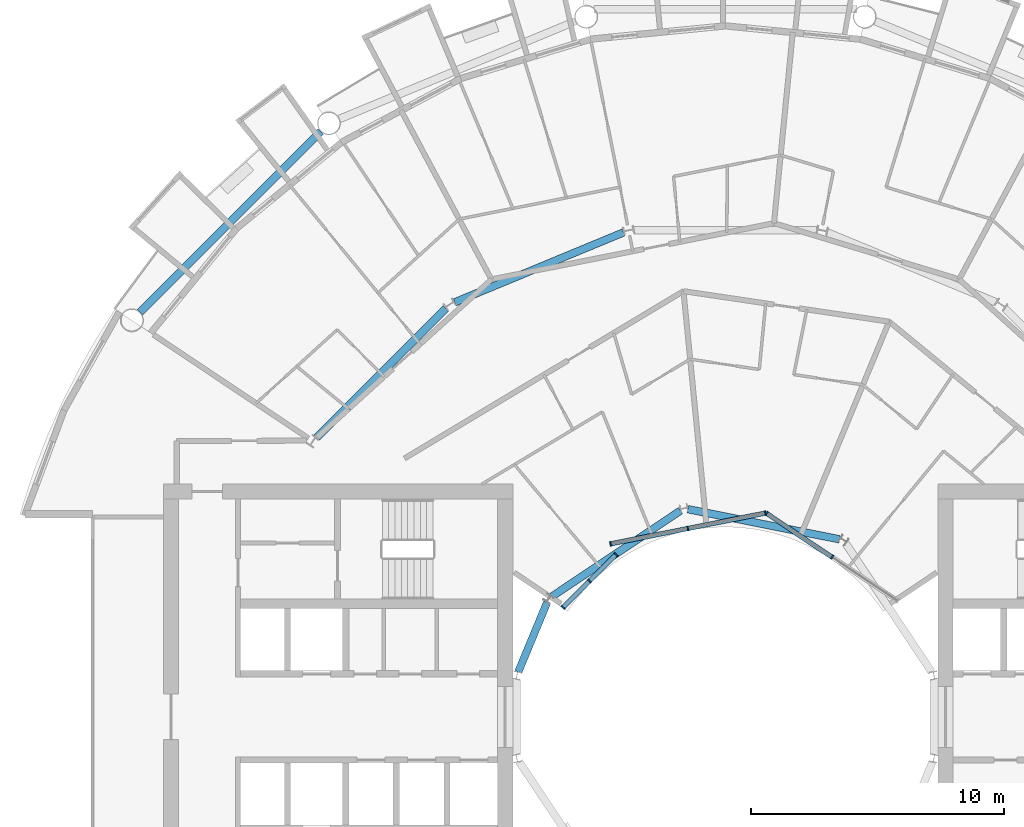
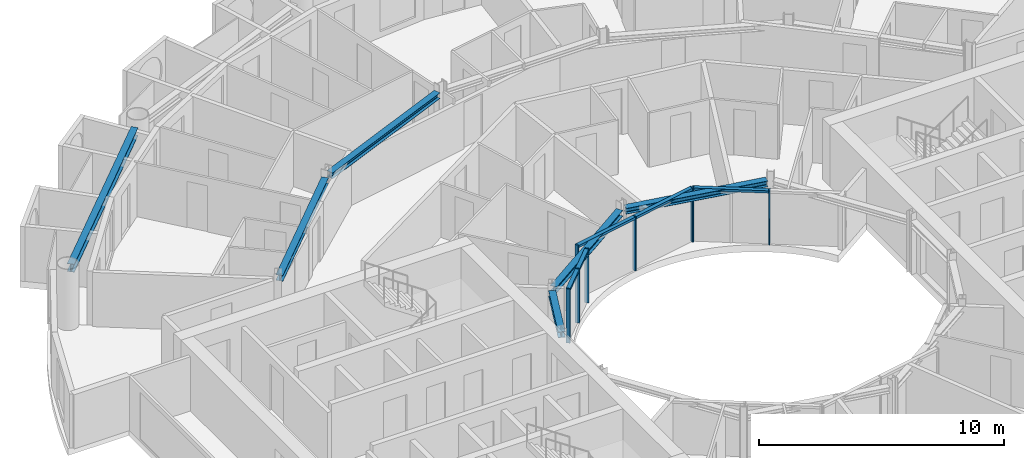
# One storey, part 8 of 28: 13 members, 6 beams, 3 elements without a shape of their own.
"""IFC4 building model written with IfcOpenShell, lengths in metres."""

from ifc_helpers import new_model, si_unit, direction, frame, origin, origin_2d, place, context, subcontext, project, spatial, rectangle, i_section, extrude, material, layer, layer_set, material_profile, profile_set, type_object, element, aggregate, save


model = new_model("IFC4")

# Units and contexts
model_context = context("Model", 3, precision=1e-05, world=origin(), true_north=direction((0.0, 1.0)))
body_context = subcontext(model_context, "Body", "Model", "MODEL_VIEW")
ifc_project = project(units=[si_unit("LENGTHUNIT", "METRE"), si_unit("AREAUNIT", "SQUARE_METRE"), si_unit("VOLUMEUNIT", "CUBIC_METRE"), si_unit("PLANEANGLEUNIT", "RADIAN"), si_unit("MASSUNIT", "GRAM", prefix="KILO")], contexts=[model_context])

# Site, building, storey
site_placement = place(None, origin())
site = spatial("IfcSite", under=ifc_project, at=site_placement, CompositionType="ELEMENT")
building_placement = place(site_placement, origin())
building = spatial("IfcBuilding", under=site, at=building_placement, Name="Maasbend Ring Residences", CompositionType="ELEMENT")
storey_placement = place(building_placement, frame((0.0, 0.0, 133.0)))
storey = spatial("IfcBuildingStorey", under=building, at=storey_placement, Name="L38", CompositionType="ELEMENT", Elevation=133.0)

# Curtain wall, members
ifc_material_1 = material(Name="Aluminium and clear glass", Category="aluminium")
ifc_layer = layer(ifc_material_1, 0.179931640625)
ifc_layer_set = layer_set([ifc_layer], Name="CW-W")
curtain_wall_type = type_object("IfcCurtainWallType", Name="CW-W", PredefinedType="NOTDEFINED", material=ifc_layer_set)
curtain_wall_1_placement = place(storey_placement, origin())
curtain_wall_1 = element("IfcCurtainWall", 1, at=curtain_wall_1_placement, inside=storey, type_object=curtain_wall_type, Name="Well curtain wall N1", PredefinedType="NOTDEFINED")
ifc_material_2 = material(Name="Aluminium 6063-T6", Category="aluminium")
ifc_material_profile_1 = material_profile(ifc_material_2, rectangle(XDim=0.179931640625, YDim=0.06005859375, at=origin_2d()), Name="AL 180x60")
ifc_profile_set_1 = profile_set([ifc_material_profile_1], Name="Aluminium 6063-T6")
member_type_1 = type_object("IfcMemberType", Name="CWM-W", PredefinedType="MULLION", material=ifc_profile_set_1)
member_1_placement = place(storey_placement, frame((4.216796875, 6.310791015625, 0.0), z_axis=(0.0, 0.0, 1.0), x_axis=(-0.55557023302, -0.831469612303, 0.0)))
member_1 = element("IfcMember", 2, at=member_1_placement, type_object=member_type_1, Name="Mullion well face", PredefinedType="MULLION", context=body_context, shape_type="SweptSolid", body=[
    extrude(rectangle(XDim=0.179931640625, YDim=0.06005859375, at=origin_2d()), origin(), (0.0, 0.0, 1.0), 2.699951171875),
])
member_2_placement = place(storey_placement, frame((1.627685546875, 8.040771484375, 0.0), z_axis=(0.0, 0.0, 1.0), x_axis=(-0.55557023302, -0.831469612303, 0.0)))
member_2 = element("IfcMember", 3, at=member_2_placement, type_object=member_type_1, Name="Mullion well face", PredefinedType="MULLION", context=body_context, shape_type="SweptSolid", body=[
    extrude(rectangle(XDim=0.179931640625, YDim=0.06005859375, at=origin_2d()), origin(), (0.0, 0.0, 1.0), 2.699951171875),
])

curtain_wall_2_placement = place(storey_placement, origin())
curtain_wall_2 = element("IfcCurtainWall", 4, at=curtain_wall_2_placement, inside=storey, type_object=curtain_wall_type, Name="Well curtain wall N2", PredefinedType="NOTDEFINED")
member_3_placement = place(storey_placement, frame((1.5732421875, 8.0517578125, 0.0), z_axis=(0.0, 0.0, 1.0), x_axis=(0.195090322016, -0.980785280403, 0.0)))
member_3 = element("IfcMember", 5, at=member_3_placement, type_object=member_type_1, Name="Mullion well face", PredefinedType="MULLION", context=body_context, shape_type="SweptSolid", body=[
    extrude(rectangle(XDim=0.179931640625, YDim=0.06005859375, at=origin_2d()), origin(), (0.0, 0.0, 1.0), 2.699951171875),
])
member_4_placement = place(storey_placement, frame((-1.480712890625, 7.444091796875, 0.0), z_axis=(0.0, 0.0, 1.0), x_axis=(0.195090322016, -0.980785280403, 0.0)))
member_4 = element("IfcMember", 6, at=member_4_placement, type_object=member_type_1, Name="Mullion well face", PredefinedType="MULLION", context=body_context, shape_type="SweptSolid", body=[
    extrude(rectangle(XDim=0.179931640625, YDim=0.06005859375, at=origin_2d()), origin(), (0.0, 0.0, 1.0), 2.699951171875),
])
member_5_placement = place(storey_placement, frame((-4.53466796875, 6.836669921875, 0.0), z_axis=(0.0, 0.0, 1.0), x_axis=(0.195090322016, -0.980785280403, 0.0)))
member_5 = element("IfcMember", 7, at=member_5_placement, type_object=member_type_1, Name="Mullion well face", PredefinedType="MULLION", context=body_context, shape_type="SweptSolid", body=[
    extrude(rectangle(XDim=0.179931640625, YDim=0.06005859375, at=origin_2d()), origin(), (0.0, 0.0, 1.0), 2.699951171875),
])

curtain_wall_3_placement = place(storey_placement, origin())
curtain_wall_3 = element("IfcCurtainWall", 8, at=curtain_wall_3_placement, inside=storey, type_object=curtain_wall_type, Name="Well curtain wall N3", PredefinedType="NOTDEFINED")
member_6_placement = place(storey_placement, frame((-4.320556640625, 6.413330078125, 0.0), z_axis=(0.0, 0.0, 1.0), x_axis=(0.707106781187, -0.707106781187, 0.0)))
member_6 = element("IfcMember", 9, at=member_6_placement, type_object=member_type_1, Name="Mullion well face", PredefinedType="MULLION", context=body_context, shape_type="SweptSolid", body=[
    extrude(rectangle(XDim=0.179931640625, YDim=0.06005859375, at=origin_2d()), origin(), (0.0, 0.0, 1.0), 2.699951171875),
])
member_7_placement = place(storey_placement, frame((-5.366943359375, 5.366943359375, 0.0), z_axis=(0.0, 0.0, 1.0), x_axis=(0.707106781187, -0.707106781187, 0.0)))
member_7 = element("IfcMember", 10, at=member_7_placement, type_object=member_type_1, Name="Mullion well face", PredefinedType="MULLION", context=body_context, shape_type="SweptSolid", body=[
    extrude(rectangle(XDim=0.179931640625, YDim=0.06005859375, at=origin_2d()), origin(), (0.0, 0.0, 1.0), 2.699951171875),
])
member_8_placement = place(storey_placement, frame((-6.413330078125, 4.320556640625, 0.0), z_axis=(0.0, 0.0, 1.0), x_axis=(0.707106781187, -0.707106781187, 0.0)))
member_8 = element("IfcMember", 11, at=member_8_placement, type_object=member_type_1, Name="Mullion well face", PredefinedType="MULLION", context=body_context, shape_type="SweptSolid", body=[
    extrude(rectangle(XDim=0.179931640625, YDim=0.06005859375, at=origin_2d()), origin(), (0.0, 0.0, 1.0), 2.699951171875),
])

# Member
ifc_material_3 = material(Name="Aluminium 6063-T6", Category="aluminium")
ifc_material_profile_2 = material_profile(ifc_material_3, rectangle(XDim=0.179931640625, YDim=0.1201171875, at=origin_2d()), Name="AL 180x120")
ifc_profile_set_2 = profile_set([ifc_material_profile_2], Name="Aluminium 6063-T6")
member_type_2 = type_object("IfcMemberType", Name="CWT-W", PredefinedType="USERDEFINED", material=ifc_profile_set_2)
member_9_placement = place(storey_placement, frame((4.19189453125, 6.32763671875, 2.639892578125), z_axis=(-0.831496422459, 0.555530106689, 0.0), x_axis=(-0.555530106689, -0.831496422459, 0.0)))
member_9 = element("IfcMember", 12, at=member_9_placement, type_object=member_type_2, Name="Transom well face", ObjectType="TRANSOM", PredefinedType="USERDEFINED", context=body_context, shape_type="SweptSolid", body=[
    extrude(rectangle(XDim=0.179931640625, YDim=0.1201171875, at=origin_2d()), origin(), (0.0, 0.0, 1.0), 3.053955078125),
])

aggregate(curtain_wall_1, [member_1, member_2, member_9])

member_10_placement = place(storey_placement, frame((1.5439453125, 8.0458984375, 2.639892578125), z_axis=(-0.980776956105, -0.195132166424, 0.0), x_axis=(0.195132166424, -0.980776956105, 0.0)))
member_10 = element("IfcMember", 13, at=member_10_placement, type_object=member_type_2, Name="Transom well face", ObjectType="TRANSOM", PredefinedType="USERDEFINED", context=body_context, shape_type="SweptSolid", body=[
    extrude(rectangle(XDim=0.179931640625, YDim=0.1201171875, at=origin_2d()), origin(), (0.0, 0.0, 1.0), 3.053955078125),
])

member_11_placement = place(storey_placement, frame((-1.51025390625, 7.438232421875, 2.639892578125), z_axis=(-0.980789210404, -0.19507056353, 0.0), x_axis=(0.19507056353, -0.980789210404, 0.0)))
member_11 = element("IfcMember", 14, at=member_11_placement, type_object=member_type_2, Name="Transom well face", ObjectType="TRANSOM", PredefinedType="USERDEFINED", context=body_context, shape_type="SweptSolid", body=[
    extrude(rectangle(XDim=0.179931640625, YDim=0.1201171875, at=origin_2d()), origin(), (0.0, 0.0, 1.0), 3.0537109375),
])

aggregate(curtain_wall_2, [member_3, member_4, member_5, member_10, member_11])

member_12_placement = place(storey_placement, frame((-4.341796875, 6.39208984375, 2.639892578125), z_axis=(-0.707106781187, -0.707106781187, 0.0), x_axis=(0.707106781187, -0.707106781187, 0.0)))
member_12 = element("IfcMember", 15, at=member_12_placement, type_object=member_type_2, Name="Transom well face", ObjectType="TRANSOM", PredefinedType="USERDEFINED", context=body_context, shape_type="SweptSolid", body=[
    extrude(rectangle(XDim=0.179931640625, YDim=0.1201171875, at=origin_2d()), origin(), (0.0, 0.0, 1.0), 1.419677734375),
])

member_13_placement = place(storey_placement, frame((-5.38818359375, 5.345703125, 2.639892578125), z_axis=(-0.707106781187, -0.707106781187, 0.0), x_axis=(0.707106781187, -0.707106781187, 0.0)))
member_13 = element("IfcMember", 16, at=member_13_placement, type_object=member_type_2, Name="Transom well face", ObjectType="TRANSOM", PredefinedType="USERDEFINED", context=body_context, shape_type="SweptSolid", body=[
    extrude(rectangle(XDim=0.179931640625, YDim=0.1201171875, at=origin_2d()), origin(), (0.0, 0.0, 1.0), 1.419677734375),
])

aggregate(curtain_wall_3, [member_6, member_7, member_8, member_12, member_13])

# Beams
ifc_material_4 = material(Name="Steel S355J2", Category="steel")
ifc_material_profile_3 = material_profile(ifc_material_4, i_section(OverallWidth=0.300048828125, OverallDepth=0.2900390625, WebThickness=0.008544921875, FlangeThickness=0.013916015625, FilletRadius=0.027099609375, at=origin_2d()), Name="HEA 300")
ifc_profile_set_3 = profile_set([ifc_material_profile_3], Name="Steel S355J2")
beam_type_1 = type_object("IfcBeamType", Name="Corridor ring beam HEA 300", PredefinedType="BEAM", material=ifc_profile_set_3)
for number, where, z_axis, x_axis, name in (
    (17, (-4.02734375, 19.13916015625, 2.554931640625), (-0.923877693919, -0.382687871089, 0.0), (0.382687871089, -0.923877693919, 0.0), "Corridor ring beam"),
    (18, (-11.044921875, 16.14111328125, 2.554931640625), (-0.707106781187, -0.707106781187, 0.0), (0.707106781187, -0.707106781187, 0.0), "Corridor ring beam"),
):
    element("IfcBeam", number, at=place(storey_placement, frame(where, z_axis=z_axis, x_axis=x_axis)), inside=storey, type_object=beam_type_1, Name=name, PredefinedType="BEAM", context=body_context, shape_type="SweptSolid", body=[
        extrude(i_section(OverallWidth=0.300048828125, OverallDepth=0.2900390625, WebThickness=0.008544921875, FlangeThickness=0.013916015625, FilletRadius=0.027099609375, at=origin_2d()), origin(), (0.0, 0.0, 1.0), 7.20703125),
    ])
ifc_material_5 = material(Name="Steel S355J2", Category="steel")
ifc_material_profile_4 = material_profile(ifc_material_5, i_section(OverallWidth=0.300048828125, OverallDepth=0.39990234375, WebThickness=0.013427734375, FlangeThickness=0.02392578125, FilletRadius=0.027099609375, at=origin_2d()), Name="HEB 400")
ifc_profile_set_4 = profile_set([ifc_material_profile_4], Name="Steel S355J2")
beam_type_2 = type_object("IfcBeamType", Name="Spandrel ring beam HEB 400", PredefinedType="SPANDREL", material=ifc_profile_set_4)
beam_1_placement = place(storey_placement, frame((-15.990234375, 23.124267578125, 2.5), z_axis=(-0.707106781187, -0.707106781187, 0.0), x_axis=(0.707106781187, -0.707106781187, 0.0)))
element("IfcBeam", 19, at=beam_1_placement, inside=storey, type_object=beam_type_2, Name="Spandrel ring beam", PredefinedType="SPANDREL", context=body_context, shape_type="SweptSolid", body=[
    extrude(i_section(OverallWidth=0.300048828125, OverallDepth=0.39990234375, WebThickness=0.013427734375, FlangeThickness=0.02392578125, FilletRadius=0.027099609375, at=origin_2d()), origin(), (0.0, 0.0, 1.0), 10.089111328125),
])
ifc_material_6 = material(Name="Steel S355J2", Category="steel")
ifc_material_profile_5 = material_profile(ifc_material_6, i_section(OverallWidth=0.300048828125, OverallDepth=0.2900390625, WebThickness=0.008544921875, FlangeThickness=0.013916015625, FilletRadius=0.027099609375, at=origin_2d()), Name="HEA 300")
ifc_profile_set_5 = profile_set([ifc_material_profile_5], Name="Steel S355J2")
beam_type_3 = type_object("IfcBeamType", Name="Well edge beam HEA 300", PredefinedType="BEAM", material=ifc_profile_set_5)
beam_2_placement = place(storey_placement, frame((4.507568359375, 7.01611328125, 2.554931640625), z_axis=(-0.980792381321, 0.195054619896, 0.0), x_axis=(-0.195054619896, -0.980792381321, 0.0)))
element("IfcBeam", 20, at=beam_2_placement, inside=storey, type_object=beam_type_3, Name="Well edge beam", PredefinedType="BEAM", context=body_context, shape_type="SweptSolid", body=[
    extrude(i_section(OverallWidth=0.300048828125, OverallDepth=0.2900390625, WebThickness=0.008544921875, FlangeThickness=0.013916015625, FilletRadius=0.027099609375, at=origin_2d()), origin(), (0.0, 0.0, 1.0), 6.104248046875),
])
beam_3_placement = place(storey_placement, frame((-1.773681640625, 8.1484375, 2.554931640625), z_axis=(-0.831477628137, -0.555558236289, 0.0), x_axis=(0.555558236289, -0.831477628137, 0.0)))
element("IfcBeam", 21, at=beam_3_placement, inside=storey, type_object=beam_type_3, Name="Well edge beam", PredefinedType="BEAM", context=body_context, shape_type="SweptSolid", body=[
    extrude(i_section(OverallWidth=0.300048828125, OverallDepth=0.2900390625, WebThickness=0.008544921875, FlangeThickness=0.013916015625, FilletRadius=0.027099609375, at=origin_2d()), origin(), (0.0, 0.0, 1.0), 6.1044921875),
])
beam_4_placement = place(storey_placement, frame((-7.042724609375, 4.525390625, 2.554931640625), z_axis=(-0.382765370874, -0.923845588212, 0.0), x_axis=(0.923845588212, -0.382765370874, 0.0)))
element("IfcBeam", 22, at=beam_4_placement, inside=storey, type_object=beam_type_3, Name="Well edge beam", PredefinedType="BEAM", context=body_context, shape_type="SweptSolid", body=[
    extrude(i_section(OverallWidth=0.300048828125, OverallDepth=0.2900390625, WebThickness=0.008544921875, FlangeThickness=0.013916015625, FilletRadius=0.027099609375, at=origin_2d()), origin(), (0.0, 0.0, 1.0), 2.9716796875),
])

save(model, "model.ifc")
